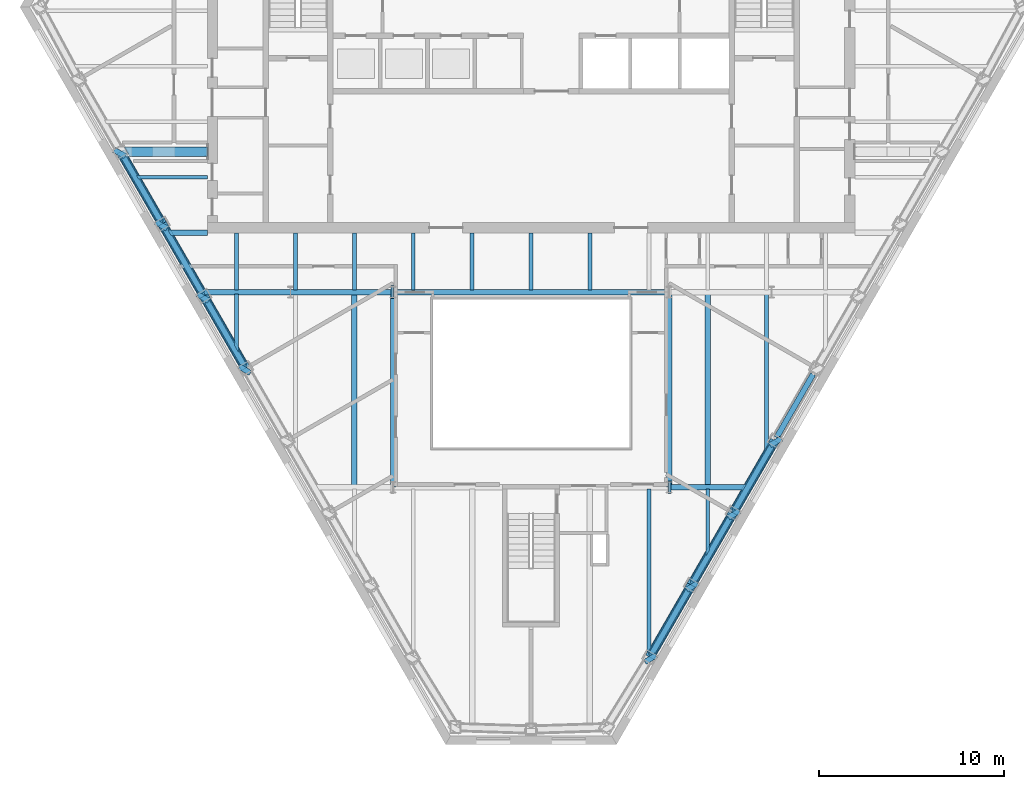
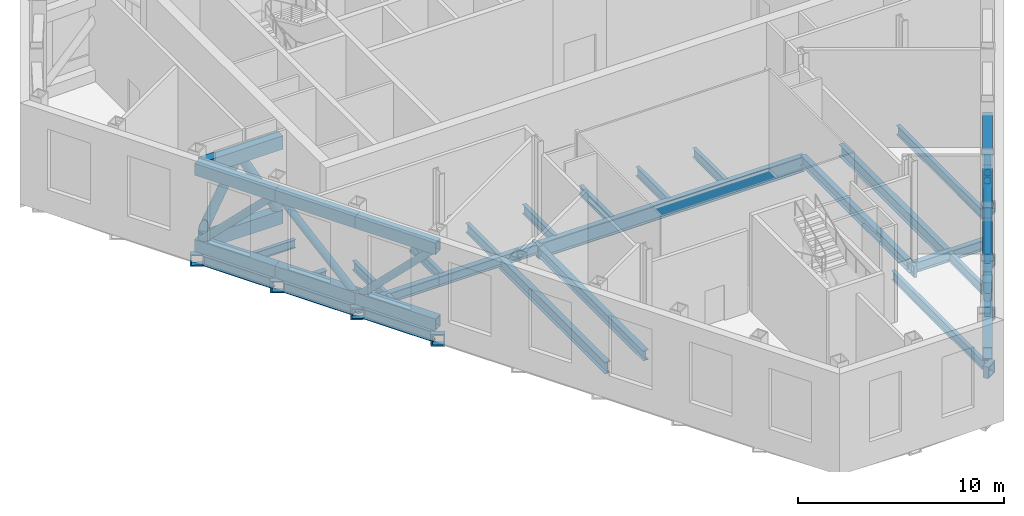
# One storey, part 3 of 15: 38 beams, 22 members.
"""IFC4 building model written with IfcOpenShell, lengths in metres."""

from ifc_helpers import new_model, si_unit, direction, frame, origin, origin_2d, place, context, subcontext, project, spatial, hollow_rectangle, hollow_circle, i_section, extrude, clip, halfspace, material, material_profile, profile_set, type_object, element, save


model = new_model("IFC4")

# Units and contexts
model_context = context("Model", 3, precision=1e-05, world=origin(), true_north=direction((0.0, 1.0)))
body_context = subcontext(model_context, "Body", "Model", "MODEL_VIEW")
ifc_project = project(units=[si_unit("LENGTHUNIT", "METRE"), si_unit("AREAUNIT", "SQUARE_METRE"), si_unit("VOLUMEUNIT", "CUBIC_METRE"), si_unit("PLANEANGLEUNIT", "RADIAN"), si_unit("MASSUNIT", "GRAM", prefix="KILO")], contexts=[model_context])

# Site, building, storey
site_placement = place(None, origin())
site = spatial("IfcSite", under=ifc_project, at=site_placement, CompositionType="ELEMENT")
building_placement = place(site_placement, origin())
building = spatial("IfcBuilding", under=site, at=building_placement, Name="Njiva Tower", CompositionType="ELEMENT")
storey_placement = place(building_placement, frame((0.0, 0.0, 133.8)))
storey = spatial("IfcBuildingStorey", under=building, at=storey_placement, Name="L28", CompositionType="ELEMENT", Elevation=133.8)

# Beams
ifc_material_1 = material(Name="Steel S355 J2", Category="steel")
ifc_material_profile_1 = material_profile(ifc_material_1, i_section(OverallWidth=0.3, OverallDepth=0.69, WebThickness=0.0145, FlangeThickness=0.027, at=origin_2d()), Name="HEA 700")
ifc_profile_set_1 = profile_set([ifc_material_profile_1], Name="Steel S355 J2")
beam_type_1 = type_object("IfcBeamType", Name="B12 Long-span floor joist HEA 700", PredefinedType="JOIST", material=ifc_profile_set_1)
for number, where, z_axis, x_axis, name in (
    (1, (-9.55, -3.3, -0.545), (0.0, -1.0, 0.0), (1.0, 0.0, 0.0), "Long-span floor joist T2-B055"),
    (2, (9.55, -3.3, -0.545), (0.0, -1.0, 0.0), (1.0, 0.0, 0.0), "Long-span floor joist T2-B068"),
):
    element("IfcBeam", number, at=place(storey_placement, frame(where, z_axis=z_axis, x_axis=x_axis)), inside=storey, type_object=beam_type_1, Name=name, PredefinedType="JOIST", context=body_context, shape_type="SweptSolid", body=[
        extrude(i_section(OverallWidth=0.3, OverallDepth=0.69, WebThickness=0.0145, FlangeThickness=0.027, at=origin_2d()), origin(), (0.0, 0.0, 1.0), 10.35),
    ])
ifc_material_profile_2 = material_profile(ifc_material_1, hollow_rectangle(XDim=0.7, YDim=0.7, WallThickness=0.08, at=origin_2d()), Name="BOX 700x700x80")
ifc_profile_set_2 = profile_set([ifc_material_profile_2], Name="Steel S355 J2")
beam_type_2 = type_object("IfcBeamType", Name="B19 Column jog beam BOX 700x700x80", PredefinedType="BEAM", material=ifc_profile_set_2)
beam_1_placement = place(storey_placement, frame((-22.308, 4.183, -0.55), z_axis=(0.487366159264, 0.873197702015, 0.0), x_axis=(-0.873197702015, 0.487366159264, 0.0)))
element("IfcBeam", 3, at=beam_1_placement, inside=storey, type_object=beam_type_2, Name="Column jog beam T2-B024", PredefinedType="BEAM", context=body_context, shape_type="SweptSolid", body=[
    extrude(hollow_rectangle(XDim=0.7, YDim=0.7, WallThickness=0.08, at=origin_2d()), origin(), (0.0, 0.0, 1.0), 0.2955),
])
for number, where, z_axis, x_axis, name in (
    (4, (-20.055, 0.279, -0.55), (0.496502633012, 0.868035215537, 0.0), (-0.868035215537, 0.496502633012, 0.0), "Column jog beam T2-B025"),
    (5, (-17.801, -3.625, -0.55), (0.496502633012, 0.868035215537, 0.0), (-0.868035215537, 0.496502633012, 0.0), "Column jog beam T2-B026"),
):
    element("IfcBeam", number, at=place(storey_placement, frame(where, z_axis=z_axis, x_axis=x_axis)), inside=storey, type_object=beam_type_2, Name=name, PredefinedType="BEAM", context=body_context, shape_type="SweptSolid", body=[
        extrude(hollow_rectangle(XDim=0.7, YDim=0.7, WallThickness=0.08, at=origin_2d()), origin(), (0.0, 0.0, 1.0), 0.2961),
    ])
beam_2_placement = place(storey_placement, frame((-15.547, -7.529, -0.55), z_axis=(0.497961879688, 0.867198919728, 0.0), x_axis=(-0.867198919728, 0.497961879688, 0.0)))
element("IfcBeam", 6, at=beam_2_placement, inside=storey, type_object=beam_type_2, Name="Column jog beam T2-B027", PredefinedType="BEAM", context=body_context, shape_type="SweptSolid", body=[
    extrude(hollow_rectangle(XDim=0.7, YDim=0.7, WallThickness=0.08, at=origin_2d()), origin(), (0.0, 0.0, 1.0), 0.2952),
])
beam_3_placement = place(storey_placement, frame((6.533, -23.142, -0.55), z_axis=(-0.519513166522, 0.854462444938, 0.0), x_axis=(-0.854462444938, -0.519513166522, 0.0)))
element("IfcBeam", 7, at=beam_3_placement, inside=storey, type_object=beam_type_2, Name="Column jog beam T2-B037", PredefinedType="BEAM", context=body_context, shape_type="SweptSolid", body=[
    extrude(hollow_rectangle(XDim=0.7, YDim=0.7, WallThickness=0.08, at=origin_2d()), origin(), (0.0, 0.0, 1.0), 0.2926),
])
beam_4_placement = place(storey_placement, frame((8.787, -19.24, -0.55), z_axis=(-0.512497875226, 0.858688492929, 0.0), x_axis=(-0.858688492929, -0.512497875226, 0.0)))
element("IfcBeam", 8, at=beam_4_placement, inside=storey, type_object=beam_type_2, Name="Column jog beam T2-B040", PredefinedType="BEAM", context=body_context, shape_type="SweptSolid", body=[
    extrude(hollow_rectangle(XDim=0.7, YDim=0.7, WallThickness=0.08, at=origin_2d()), origin(), (0.0, 0.0, 1.0), 0.2946),
])
beam_5_placement = place(storey_placement, frame((11.041, -15.336, -0.55), z_axis=(-0.511007817722, 0.859576064247, 0.0), x_axis=(-0.859576064247, -0.511007817722, 0.0)))
element("IfcBeam", 9, at=beam_5_placement, inside=storey, type_object=beam_type_2, Name="Column jog beam T2-B041", PredefinedType="BEAM", context=body_context, shape_type="SweptSolid", body=[
    extrude(hollow_rectangle(XDim=0.7, YDim=0.7, WallThickness=0.08, at=origin_2d()), origin(), (0.0, 0.0, 1.0), 0.2955),
])
beam_6_placement = place(storey_placement, frame((13.293, -11.432, -0.55), z_axis=(-0.503447958837, 0.864025550978, 0.0), x_axis=(-0.864025550978, -0.503447958837, 0.0)))
element("IfcBeam", 10, at=beam_6_placement, inside=storey, type_object=beam_type_2, Name="Column jog beam T2-B042", PredefinedType="BEAM", context=body_context, shape_type="SweptSolid", body=[
    extrude(hollow_rectangle(XDim=0.7, YDim=0.7, WallThickness=0.08, at=origin_2d()), origin(), (0.0, 0.0, 1.0), 0.294),
])
for number, where, z_axis, x_axis, name in (
    (11, (-7.57, -3.2, -0.55), (1.0, 0.0, 0.0), (0.0, 1.0, 0.0), "Column jog beam T2-B032"),
    (12, (7.57, -13.75, -0.55), (-1.0, 0.0, 0.0), (0.0, -1.0, 0.0), "Column jog beam T2-B038"),
):
    element("IfcBeam", number, at=place(storey_placement, frame(where, z_axis=z_axis, x_axis=x_axis)), inside=storey, type_object=beam_type_2, Name=name, PredefinedType="BEAM", context=body_context, shape_type="SweptSolid", body=[
        extrude(hollow_rectangle(XDim=0.7, YDim=0.7, WallThickness=0.08, at=origin_2d()), origin(), (0.0, 0.0, 1.0), 0.17),
    ])
ifc_material_profile_3 = material_profile(ifc_material_1, i_section(OverallWidth=0.2, OverallDepth=0.5, WebThickness=0.0102, FlangeThickness=0.016, at=origin_2d()), Name="IPE 500")
ifc_profile_set_3 = profile_set([ifc_material_profile_3], Name="Steel S355 J2")
beam_type_3 = type_object("IfcBeamType", Name="B25 Short-span floor beam to the core IPE 500", PredefinedType="BEAM", material=ifc_profile_set_3)
beam_7_placement = place(storey_placement, frame((-21.353, 3.0, -0.45), z_axis=(1.0, 0.0, 0.0), x_axis=(0.0, 1.0, 0.0)))
element("IfcBeam", 13, at=beam_7_placement, inside=storey, type_object=beam_type_3, Name="Short-span floor beam to the core T2-B006", PredefinedType="BEAM", context=body_context, shape_type="Clipping", body=[
    clip(extrude(i_section(OverallWidth=0.2, OverallDepth=0.5, WebThickness=0.0102, FlangeThickness=0.016, at=origin_2d()), origin(), (0.0, 0.0, 1.0), 3.853), halfspace(frame((-0.025, 0.0, 0.0921), z_axis=(-0.499998009787, 0.0, -0.866026552831), x_axis=(0.0, -1.0, 0.0)), False)),
])
ifc_material_profile_4 = material_profile(ifc_material_1, i_section(OverallWidth=0.3, OverallDepth=0.59, WebThickness=0.013, FlangeThickness=0.025, at=origin_2d()), Name="HEA 600")
ifc_profile_set_4 = profile_set([ifc_material_profile_4], Name="Steel S355 J2")
beam_type_4 = type_object("IfcBeamType", Name="B27 Short-span spandrel beam HEA 600", PredefinedType="SPANDREL", material=ifc_profile_set_4)
for number, where, z_axis, x_axis, name in (
    (14, (-22.01, 4.073, -0.495), (0.499970304126, -0.866042548026, 0.0), (0.866042548026, 0.499970304126, 0.0), "Short-span spandrel beam T2-B083"),
    (15, (-19.756, 0.169, -0.495), (0.499970304126, -0.866042548026, 0.0), (0.866042548026, 0.499970304126, 0.0), "Short-span spandrel beam T2-B084"),
    (16, (-17.502, -3.735, -0.495), (0.499970304126, -0.866042548026, 0.0), (0.866042548026, 0.499970304126, 0.0), "Short-span spandrel beam T2-B086"),
):
    element("IfcBeam", number, at=place(storey_placement, frame(where, z_axis=z_axis, x_axis=x_axis)), inside=storey, type_object=beam_type_4, Name=name, PredefinedType="SPANDREL", context=body_context, shape_type="SweptSolid", body=[
        extrude(i_section(OverallWidth=0.3, OverallDepth=0.59, WebThickness=0.013, FlangeThickness=0.025, at=origin_2d()), origin(), (0.0, 0.0, 1.0), 3.9582),
    ])
beam_8_placement = place(storey_placement, frame((6.508, -22.777, -0.495), z_axis=(0.500079715141, 0.865979375335, 0.0), x_axis=(-0.865979375335, 0.500079715141, 0.0)))
element("IfcBeam", 17, at=beam_8_placement, inside=storey, type_object=beam_type_4, Name="Short-span spandrel beam T2-B100", PredefinedType="SPANDREL", context=body_context, shape_type="SweptSolid", body=[
    extrude(i_section(OverallWidth=0.3, OverallDepth=0.59, WebThickness=0.013, FlangeThickness=0.025, at=origin_2d()), origin(), (0.0, 0.0, 1.0), 3.9574),
])
beam_9_placement = place(storey_placement, frame((8.762, -18.874, -0.495), z_axis=(0.499970304126, 0.866042548026, 0.0), x_axis=(-0.866042548026, 0.499970304126, 0.0)))
element("IfcBeam", 18, at=beam_9_placement, inside=storey, type_object=beam_type_4, Name="Short-span spandrel beam T2-B101", PredefinedType="SPANDREL", context=body_context, shape_type="SweptSolid", body=[
    extrude(i_section(OverallWidth=0.3, OverallDepth=0.59, WebThickness=0.013, FlangeThickness=0.025, at=origin_2d()), origin(), (0.0, 0.0, 1.0), 3.9582),
])
beam_10_placement = place(storey_placement, frame((11.016, -14.97, -0.495), z_axis=(0.500079715141, 0.865979375335, 0.0), x_axis=(-0.865979375335, 0.500079715141, 0.0)))
element("IfcBeam", 19, at=beam_10_placement, inside=storey, type_object=beam_type_4, Name="Short-span spandrel beam T2-B103", PredefinedType="SPANDREL", context=body_context, shape_type="SweptSolid", body=[
    extrude(i_section(OverallWidth=0.3, OverallDepth=0.59, WebThickness=0.013, FlangeThickness=0.025, at=origin_2d()), origin(), (0.0, 0.0, 1.0), 3.9574),
])
beam_11_placement = place(storey_placement, frame((13.27, -11.066, -0.495), z_axis=(0.499890179513, 0.866088799389, 0.0), x_axis=(-0.866088799389, 0.499890179513, 0.0)))
element("IfcBeam", 20, at=beam_11_placement, inside=storey, type_object=beam_type_4, Name="Short-span spandrel beam T2-B104", PredefinedType="SPANDREL", context=body_context, shape_type="SweptSolid", body=[
    extrude(i_section(OverallWidth=0.3, OverallDepth=0.59, WebThickness=0.013, FlangeThickness=0.025, at=origin_2d()), origin(), (0.0, 0.0, 1.0), 3.9569),
])
ifc_material_profile_5 = material_profile(ifc_material_1, i_section(OverallWidth=0.3, OverallDepth=0.59, WebThickness=0.013, FlangeThickness=0.025, at=origin_2d()), Name="HEA 600")
ifc_profile_set_5 = profile_set([ifc_material_profile_5], Name="Steel S355 J2")
beam_type_5 = type_object("IfcBeamType", Name="B28 Floor girder HEA 600", PredefinedType="BEAM", material=ifc_profile_set_5)
beam_12_placement = place(storey_placement, frame((-17.803, -3.2, -0.495), z_axis=(1.0, 0.0, 0.0), x_axis=(0.0, 1.0, 0.0)))
element("IfcBeam", 21, at=beam_12_placement, inside=storey, type_object=beam_type_5, Name="Floor girder T2-B014", PredefinedType="BEAM", context=body_context, shape_type="Clipping", body=[
    clip(extrude(i_section(OverallWidth=0.3, OverallDepth=0.59, WebThickness=0.013, FlangeThickness=0.025, at=origin_2d()), origin(), (0.0, 0.0, 1.0), 4.803), halfspace(frame((-0.025, 0.0, 0.1217), z_axis=(-0.499998009787, 0.0, -0.866026552831), x_axis=(0.0, -1.0, 0.0)), False)),
])
beam_13_placement = place(storey_placement, frame((-13.0, -3.2, -0.495), z_axis=(1.0, 0.0, 0.0), x_axis=(0.0, 1.0, 0.0)))
element("IfcBeam", 22, at=beam_13_placement, inside=storey, type_object=beam_type_5, Name="Floor girder T2-B015", PredefinedType="BEAM", context=body_context, shape_type="SweptSolid", body=[
    extrude(i_section(OverallWidth=0.3, OverallDepth=0.59, WebThickness=0.013, FlangeThickness=0.025, at=origin_2d()), origin(), (0.0, 0.0, 1.0), 5.54),
])
ifc_material_profile_6 = material_profile(ifc_material_1, i_section(OverallWidth=0.3, OverallDepth=0.59, WebThickness=0.013, FlangeThickness=0.025, at=origin_2d()), Name="HEA 600")
ifc_profile_set_6 = profile_set([ifc_material_profile_6], Name="Steel S355 J2")
beam_type_6 = type_object("IfcBeamType", Name="B29 Short-span floor girder HEA 600", PredefinedType="BEAM", material=ifc_profile_set_6)
beam_14_placement = place(storey_placement, frame((7.46, -13.75, -0.495), z_axis=(1.0, 0.0, 0.0), x_axis=(0.0, 1.0, 0.0)))
element("IfcBeam", 23, at=beam_14_placement, inside=storey, type_object=beam_type_6, Name="Short-span floor girder T2-B017", PredefinedType="BEAM", context=body_context, shape_type="Clipping", body=[
    clip(extrude(i_section(OverallWidth=0.3, OverallDepth=0.59, WebThickness=0.013, FlangeThickness=0.025, at=origin_2d()), origin(), (0.0, 0.0, 1.0), 4.252), halfspace(frame((-0.025, 0.0, 4.1303), z_axis=(-0.499998009787, 0.0, 0.866026552831), x_axis=(0.0, 1.0, 0.0)), False)),
])
beam_15_placement = place(storey_placement, frame((-19.65, 0.0, -0.495), z_axis=(1.0, 0.0, 0.0), x_axis=(0.0, 1.0, 0.0)))
element("IfcBeam", 24, at=beam_15_placement, inside=storey, type_object=beam_type_6, Name="Short-span floor girder T2-B013", PredefinedType="BEAM", context=body_context, shape_type="Clipping", body=[
    clip(extrude(i_section(OverallWidth=0.3, OverallDepth=0.59, WebThickness=0.013, FlangeThickness=0.025, at=origin_2d()), origin(), (0.0, 0.0, 1.0), 2.15), halfspace(frame((-0.025, 0.0, 0.1211), z_axis=(-0.499998009787, 0.0, -0.866026552831), x_axis=(0.0, -1.0, 0.0)), False)),
])
ifc_material_profile_7 = material_profile(ifc_material_1, i_section(OverallWidth=0.3, OverallDepth=0.59, WebThickness=0.013, FlangeThickness=0.025, at=origin_2d()), Name="HEA 600")
ifc_profile_set_7 = profile_set([ifc_material_profile_7], Name="Steel S355 J2")
beam_type_7 = type_object("IfcBeamType", Name="B30 Long-span atrium trimmer beam HEA 600", PredefinedType="BEAM", material=ifc_profile_set_7)
for number, where, z_axis, x_axis, name in (
    (25, (7.46, -13.75, -0.495), (0.0, 1.0, 0.0), (-1.0, 0.0, 0.0), "Long-span atrium trimmer beam T2-B077"),
    (26, (-7.46, -3.2, -0.495), (0.0, -1.0, 0.0), (1.0, 0.0, 0.0), "Long-span atrium trimmer beam T2-B074"),
):
    element("IfcBeam", number, at=place(storey_placement, frame(where, z_axis=z_axis, x_axis=x_axis)), inside=storey, type_object=beam_type_7, Name=name, PredefinedType="BEAM", context=body_context, shape_type="SweptSolid", body=[
        extrude(i_section(OverallWidth=0.3, OverallDepth=0.59, WebThickness=0.013, FlangeThickness=0.025, at=origin_2d()), origin(), (0.0, 0.0, 1.0), 10.55),
    ])
ifc_material_profile_8 = material_profile(ifc_material_1, i_section(OverallWidth=0.21, OverallDepth=0.55, WebThickness=0.0111, FlangeThickness=0.0172, at=origin_2d()), Name="IPE 550")
ifc_profile_set_8 = profile_set([ifc_material_profile_8], Name="Steel S355 J2")
beam_type_8 = type_object("IfcBeamType", Name="B31 Short-span floor joist IPE 550", PredefinedType="JOIST", material=ifc_profile_set_8)
beam_16_placement = place(storey_placement, frame((-15.917, -0.005, -0.475), z_axis=(0.0, -1.0, 0.0), x_axis=(1.0, 0.0, 0.0)))
element("IfcBeam", 27, at=beam_16_placement, inside=storey, type_object=beam_type_8, Name="Short-span floor joist T2-B051", PredefinedType="JOIST", context=body_context, shape_type="SweptSolid", body=[
    extrude(i_section(OverallWidth=0.21, OverallDepth=0.55, WebThickness=0.0111, FlangeThickness=0.0172, at=origin_2d()), origin(), (0.0, 0.0, 1.0), 3.095),
])
beam_17_placement = place(storey_placement, frame((-15.917, -3.3, -0.475), z_axis=(0.0, -1.0, 0.0), x_axis=(1.0, 0.0, 0.0)))
element("IfcBeam", 28, at=beam_17_placement, inside=storey, type_object=beam_type_8, Name="Short-span floor joist T2-B050", PredefinedType="JOIST", context=body_context, shape_type="Clipping", body=[
    clip(extrude(i_section(OverallWidth=0.21, OverallDepth=0.55, WebThickness=0.0111, FlangeThickness=0.0172, at=origin_2d()), origin(), (0.0, 0.0, 1.0), 3.184), halfspace(frame((-0.043, 0.0, 2.9065), z_axis=(-0.866026552831, 0.0, 0.499998009787), x_axis=(0.0, 1.0, 0.0)), False)),
])
for number, where, z_axis, x_axis, name in (
    (29, (-12.733, -0.005, -0.475), (0.0, -1.0, 0.0), (1.0, 0.0, 0.0), "Short-span floor joist T2-B053"),
    (30, (-9.55, -0.005, -0.475), (0.0, -1.0, 0.0), (1.0, 0.0, 0.0), "Short-span floor joist T2-B056"),
):
    element("IfcBeam", number, at=place(storey_placement, frame(where, z_axis=z_axis, x_axis=x_axis)), inside=storey, type_object=beam_type_8, Name=name, PredefinedType="JOIST", context=body_context, shape_type="SweptSolid", body=[
        extrude(i_section(OverallWidth=0.21, OverallDepth=0.55, WebThickness=0.0111, FlangeThickness=0.0172, at=origin_2d()), origin(), (0.0, 0.0, 1.0), 3.095),
    ])
for number, where, z_axis, x_axis, name in (
    (31, (-6.367, -0.005, -0.475), (0.0, -1.0, 0.0), (1.0, 0.0, 0.0), "Short-span floor joist T2-B058"),
    (32, (-3.183, -0.005, -0.475), (0.0, -1.0, 0.0), (1.0, 0.0, 0.0), "Short-span floor joist T2-B060"),
    (33, (0.0, -0.005, -0.475), (0.0, -1.0, 0.0), (1.0, 0.0, 0.0), "Short-span floor joist T2-B062"),
    (34, (3.183, -0.005, -0.475), (0.0, -1.0, 0.0), (1.0, 0.0, 0.0), "Short-span floor joist T2-B064"),
):
    element("IfcBeam", number, at=place(storey_placement, frame(where, z_axis=z_axis, x_axis=x_axis)), inside=storey, type_object=beam_type_8, Name=name, PredefinedType="JOIST", context=body_context, shape_type="SweptSolid", body=[
        extrude(i_section(OverallWidth=0.21, OverallDepth=0.55, WebThickness=0.0111, FlangeThickness=0.0172, at=origin_2d()), origin(), (0.0, 0.0, 1.0), 3.094),
    ])
beam_18_placement = place(storey_placement, frame((9.55, -13.85, -0.475), z_axis=(0.0, -1.0, 0.0), x_axis=(1.0, 0.0, 0.0)))
element("IfcBeam", 35, at=beam_18_placement, inside=storey, type_object=beam_type_8, Name="Short-span floor joist T2-B067", PredefinedType="JOIST", context=body_context, shape_type="Clipping", body=[
    clip(extrude(i_section(OverallWidth=0.21, OverallDepth=0.55, WebThickness=0.0111, FlangeThickness=0.0172, at=origin_2d()), origin(), (0.0, 0.0, 1.0), 3.661), halfspace(frame((0.0433, 0.0, 3.3839), z_axis=(0.866026552831, 0.0, 0.499998009787), x_axis=(0.0, 1.0, 0.0)), False)),
])
ifc_material_profile_9 = material_profile(ifc_material_1, i_section(OverallWidth=0.21, OverallDepth=0.55, WebThickness=0.0111, FlangeThickness=0.0172, at=origin_2d()), Name="IPE 550")
ifc_profile_set_9 = profile_set([ifc_material_profile_9], Name="Steel S355 J2")
beam_type_9 = type_object("IfcBeamType", Name="B32 Floor joist IPE 550", PredefinedType="JOIST", material=ifc_profile_set_9)
beam_19_placement = place(storey_placement, frame((6.367, -13.851, -0.475), z_axis=(0.0, -1.0, 0.0), x_axis=(1.0, 0.0, 0.0)))
element("IfcBeam", 36, at=beam_19_placement, inside=storey, type_object=beam_type_9, Name="Floor joist T2-B065", PredefinedType="JOIST", context=body_context, shape_type="Clipping", body=[
    clip(extrude(i_section(OverallWidth=0.21, OverallDepth=0.55, WebThickness=0.0111, FlangeThickness=0.0172, at=origin_2d()), origin(), (0.0, 0.0, 1.0), 8.925), halfspace(frame((-0.0253, 0.0, 8.8299), z_axis=(-0.499998009787, 0.0, 0.866026552831), x_axis=(0.0, 1.0, 0.0)), False)),
])
beam_20_placement = place(storey_placement, frame((12.733, -3.3, -0.475), z_axis=(0.0, -1.0, 0.0), x_axis=(1.0, 0.0, 0.0)))
element("IfcBeam", 37, at=beam_20_placement, inside=storey, type_object=beam_type_9, Name="Floor joist T2-B070", PredefinedType="JOIST", context=body_context, shape_type="Clipping", body=[
    clip(extrude(i_section(OverallWidth=0.21, OverallDepth=0.55, WebThickness=0.0111, FlangeThickness=0.0172, at=origin_2d()), origin(), (0.0, 0.0, 1.0), 8.697), halfspace(frame((0.0436, 0.0, 8.4202), z_axis=(0.866026552831, 0.0, 0.499998009787), x_axis=(0.0, 1.0, 0.0)), False)),
])
ifc_material_profile_10 = material_profile(ifc_material_1, i_section(OverallWidth=0.302, OverallDepth=0.91, WebThickness=0.021, FlangeThickness=0.04, at=origin_2d()), Name="HEM 900")
ifc_profile_set_10 = profile_set([ifc_material_profile_10], Name="Steel S355 J2")
beam_type_10 = type_object("IfcBeamType", Name="B8 Long-span atrium trimmer beam HEM 900", PredefinedType="BEAM", material=ifc_profile_set_10)
beam_21_placement = place(storey_placement, frame((7.46, -3.2, -0.655), z_axis=(-1.0, 0.0, 0.0), x_axis=(0.0, -1.0, 0.0)))
element("IfcBeam", 38, at=beam_21_placement, inside=storey, type_object=beam_type_10, Name="Long-span atrium trimmer beam T2-B076", PredefinedType="BEAM", context=body_context, shape_type="SweptSolid", body=[
    extrude(i_section(OverallWidth=0.302, OverallDepth=0.91, WebThickness=0.021, FlangeThickness=0.04, at=origin_2d()), origin(), (0.0, 0.0, 1.0), 14.92),
])

# Members
ifc_material_profile_11 = material_profile(ifc_material_1, hollow_rectangle(XDim=0.5, YDim=0.8, WallThickness=0.05, at=origin_2d()), Name="BOX 800x500x50")
ifc_profile_set_11 = profile_set([ifc_material_profile_11], Name="Steel S355 J2")
member_type_1 = type_object("IfcMemberType", Name="OR1 Outrigger truss chord BOX 800x500x50", PredefinedType="CHORD", material=ifc_profile_set_11)
for number, where, z_axis, x_axis, name in (
    (39, (-17.5, 4.389, 0.4), (-1.0, 0.0, 0.0), (0.0, -1.0, 0.0), "Outrigger truss chord T2-TR109"),
    (40, (-17.5, 4.389, 4.81), (-1.0, 0.0, 0.0), (0.0, -1.0, 0.0), "Outrigger truss chord T2-TR110"),
):
    element("IfcMember", number, at=place(storey_placement, frame(where, z_axis=z_axis, x_axis=x_axis)), inside=storey, type_object=member_type_1, Name=name, PredefinedType="CHORD", context=body_context, shape_type="Clipping", body=[
        clip(extrude(hollow_rectangle(XDim=0.5, YDim=0.8, WallThickness=0.05, at=origin_2d()), origin(), (0.0, 0.0, 1.0), 4.867), halfspace(frame((0.025, 0.0, 4.3322), z_axis=(0.499998009787, 0.0, 0.866026552831), x_axis=(0.0, 1.0, 0.0)), False)),
    ])
ifc_material_2 = material(Name="Steel S355 J2H", Category="steel")
ifc_material_profile_12 = material_profile(ifc_material_2, hollow_circle(Radius=0.254, WallThickness=0.016, at=origin_2d()), Name="CHS 508x16")
ifc_profile_set_12 = profile_set([ifc_material_profile_12], Name="Steel S355 J2H")
member_type_2 = type_object("IfcMemberType", Name="OR2 Outrigger truss diagonal CHS 508x16", PredefinedType="BRACE", material=ifc_profile_set_12)
member_1_placement = place(storey_placement, frame((-17.2609, 4.389, -0.0494), z_axis=(-0.469652813312, 0.0, 0.882851196379), x_axis=(0.0, -1.0, 0.0)))
element("IfcMember", 41, at=member_1_placement, inside=storey, type_object=member_type_2, Name="Outrigger truss diagonal T2-TR111", PredefinedType="BRACE", context=body_context, shape_type="Clipping", body=[
    clip(clip(clip(extrude(hollow_circle(Radius=0.254, WallThickness=0.016, at=origin_2d()), origin(), (0.0, 0.0, 1.0), 5.6702), halfspace(frame((4.389, 15.6331, -7.3656), z_axis=(0.0, -0.469652813312, -0.882851196379), x_axis=(0.0, -0.882851196379, 0.469652813312)), False)), halfspace(frame((0.0, -63.0274, -117.9696), z_axis=(0.0, 0.882851196379, -0.469652813312), x_axis=(0.0, -0.469652813312, -0.882851196379)), False)), halfspace(frame((4.389, 17.3379, -4.1609), z_axis=(0.0, 0.469652813312, 0.882851196379), x_axis=(0.0, 0.882851196379, -0.469652813312)), False)),
])
member_2_placement = place(storey_placement, frame((-19.768, 4.389, 4.9565), z_axis=(-0.469808826994, 0.0, -0.882768183658), x_axis=(0.0, -1.0, 0.0)))
element("IfcMember", 42, at=member_2_placement, inside=storey, type_object=member_type_2, Name="Outrigger truss diagonal T2-TR112", PredefinedType="BRACE", context=body_context, shape_type="Clipping", body=[
    clip(clip(clip(extrude(hollow_circle(Radius=0.254, WallThickness=0.016, at=origin_2d()), origin(), (0.0, 0.0, 1.0), 5.7646), halfspace(frame((4.389, -17.7026, -8.8135), z_axis=(0.0, 0.469808826994, -0.882768183658), x_axis=(0.0, -0.882768183658, -0.469808826994)), False)), halfspace(frame((4.389, -19.408, -5.6091), z_axis=(0.0, -0.469808826994, 0.882768183658), x_axis=(0.0, 0.882768183658, 0.469808826994)), False)), halfspace(frame((0.025, -0.3185, 4.9921), z_axis=(0.499998009787, 0.764500687042, 0.406866918932), x_axis=(0.0, 0.469808826994, -0.882768183658)), False)),
])
ifc_material_profile_13 = material_profile(ifc_material_1, hollow_rectangle(XDim=0.5, YDim=0.7, WallThickness=0.04, at=origin_2d()), Name="BOX 700x500x40")
ifc_profile_set_13 = profile_set([ifc_material_profile_13], Name="Steel S355 J2")
member_type_3 = type_object("IfcMemberType", Name="TC2 Belt truss chord BOX 700x500x40", PredefinedType="CHORD", material=ifc_profile_set_13)
for number, where, z_axis, x_axis, name in (
    (43, (-22.193, 4.389, 0.35), (0.500074377092, -0.865982457891, 0.0), (0.865982457891, 0.500074377092, 0.0), "Belt truss chord T2-TR043"),
    (44, (-22.193, 4.389, 4.86), (0.500074377092, -0.865982457891, 0.0), (0.865982457891, 0.500074377092, 0.0), "Belt truss chord T2-TR044"),
):
    element("IfcMember", number, at=place(storey_placement, frame(where, z_axis=z_axis, x_axis=x_axis)), inside=storey, type_object=member_type_3, Name=name, PredefinedType="CHORD", context=body_context, shape_type="SweptSolid", body=[
        extrude(hollow_rectangle(XDim=0.5, YDim=0.7, WallThickness=0.04, at=origin_2d()), origin(), (0.0, 0.0, 1.0), 4.5093),
    ])
for number, where, z_axis, x_axis, name in (
    (45, (-19.938, 0.484, 0.35), (0.500004084281, -0.866023045711, 0.0), (0.866023045711, 0.500004084281, 0.0), "Belt truss chord T2-TR046"),
    (46, (-19.938, 0.484, 4.86), (0.500004084281, -0.866023045711, 0.0), (0.866023045711, 0.500004084281, 0.0), "Belt truss chord T2-TR047"),
):
    element("IfcMember", number, at=place(storey_placement, frame(where, z_axis=z_axis, x_axis=x_axis)), inside=storey, type_object=member_type_3, Name=name, PredefinedType="CHORD", context=body_context, shape_type="SweptSolid", body=[
        extrude(hollow_rectangle(XDim=0.5, YDim=0.7, WallThickness=0.04, at=origin_2d()), origin(), (0.0, 0.0, 1.0), 4.508),
    ])
for number, where, z_axis, x_axis, name in (
    (47, (-17.684, -3.42, 0.35), (0.499908044067, -0.866078488058, 0.0), (0.866078488058, 0.499908044067, 0.0), "Belt truss chord T2-TR049"),
    (48, (-17.684, -3.42, 4.86), (0.499908044067, -0.866078488058, 0.0), (0.866078488058, 0.499908044067, 0.0), "Belt truss chord T2-TR050"),
):
    element("IfcMember", number, at=place(storey_placement, frame(where, z_axis=z_axis, x_axis=x_axis)), inside=storey, type_object=member_type_3, Name=name, PredefinedType="CHORD", context=body_context, shape_type="SweptSolid", body=[
        extrude(hollow_rectangle(XDim=0.5, YDim=0.7, WallThickness=0.04, at=origin_2d()), origin(), (0.0, 0.0, 1.0), 4.5088),
    ])
member_3_placement = place(storey_placement, frame((6.395, -22.9724, 0.35), z_axis=(0.500170427951, 0.865926984799, 0.0), x_axis=(-0.865926984799, 0.500170427951, 0.0)))
element("IfcMember", 49, at=member_3_placement, inside=storey, type_object=member_type_3, Name="Belt truss chord T2-TR076", PredefinedType="CHORD", context=body_context, shape_type="Clipping", body=[
    clip(extrude(hollow_rectangle(XDim=0.5, YDim=0.7, WallThickness=0.04, at=origin_2d()), origin(), (0.0, 0.0, 1.0), 4.5425), halfspace(frame((0.0, -134.15, 0.034), z_axis=(0.014865519453, 0.0, -0.999889502061), x_axis=(0.0, -1.0, 0.0)), False)),
])
member_4_placement = place(storey_placement, frame((6.395, -22.9724, 4.86), z_axis=(0.500170427951, 0.865926984799, 0.0), x_axis=(-0.865926984799, 0.500170427951, 0.0)))
element("IfcMember", 50, at=member_4_placement, inside=storey, type_object=member_type_3, Name="Belt truss chord T2-TR077", PredefinedType="CHORD", context=body_context, shape_type="Clipping", body=[
    clip(extrude(hollow_rectangle(XDim=0.5, YDim=0.7, WallThickness=0.04, at=origin_2d()), origin(), (0.0, 0.0, 1.0), 4.5425), halfspace(frame((0.0, -138.66, 0.034), z_axis=(0.014865519453, 0.0, -0.999889502061), x_axis=(0.0, -1.0, 0.0)), False)),
])
for number, where, z_axis, x_axis, name in (
    (51, (8.667, -19.039, 0.35), (0.499908044067, 0.866078488058, 0.0), (-0.866078488058, 0.499908044067, 0.0), "Belt truss chord T2-TR079"),
    (52, (8.667, -19.039, 4.86), (0.499908044067, 0.866078488058, 0.0), (-0.866078488058, 0.499908044067, 0.0), "Belt truss chord T2-TR080"),
):
    element("IfcMember", number, at=place(storey_placement, frame(where, z_axis=z_axis, x_axis=x_axis)), inside=storey, type_object=member_type_3, Name=name, PredefinedType="CHORD", context=body_context, shape_type="SweptSolid", body=[
        extrude(hollow_rectangle(XDim=0.5, YDim=0.7, WallThickness=0.04, at=origin_2d()), origin(), (0.0, 0.0, 1.0), 4.5088),
    ])
for number, where, z_axis, x_axis, name in (
    (53, (10.921, -15.134, 0.35), (0.500004084281, 0.866023045711, 0.0), (-0.866023045711, 0.500004084281, 0.0), "Belt truss chord T2-TR082"),
    (54, (10.921, -15.134, 4.86), (0.500004084281, 0.866023045711, 0.0), (-0.866023045711, 0.500004084281, 0.0), "Belt truss chord T2-TR083"),
):
    element("IfcMember", number, at=place(storey_placement, frame(where, z_axis=z_axis, x_axis=x_axis)), inside=storey, type_object=member_type_3, Name=name, PredefinedType="CHORD", context=body_context, shape_type="SweptSolid", body=[
        extrude(hollow_rectangle(XDim=0.5, YDim=0.7, WallThickness=0.04, at=origin_2d()), origin(), (0.0, 0.0, 1.0), 4.508),
    ])
ifc_material_profile_14 = material_profile(ifc_material_2, hollow_circle(Radius=0.2032, WallThickness=0.016, at=origin_2d()), Name="CHS 406.4x16")
ifc_profile_set_14 = profile_set([ifc_material_profile_14], Name="Steel S355 J2H")
member_type_4 = type_object("IfcMemberType", Name="TD2 Belt truss diagonal CHS 406.4x16", PredefinedType="BRACE", material=ifc_profile_set_14)
member_5_placement = place(storey_placement, frame((-22.2761, 4.5329, 0.1838), z_axis=(0.353579683933, -0.612296525835, 0.707159367866), x_axis=(0.865982457891, 0.500074377092, 0.0)))
element("IfcMember", 55, at=member_5_placement, inside=storey, type_object=member_type_4, Name="Belt truss diagonal T2-TR045", PredefinedType="BRACE", context=body_context, shape_type="Clipping", body=[
    clip(clip(extrude(hollow_circle(Radius=0.2032, WallThickness=0.016, at=origin_2d()), origin(), (0.0, 0.0, 1.0), 6.8476), halfspace(frame((17.0239, -10.2955, 11.0098), z_axis=(0.0, -0.707054190596, -0.707159367866), x_axis=(0.0, -0.707159367866, 0.707054190596)), False)), halfspace(frame((17.0239, -7.5875, 13.7182), z_axis=(0.0, 0.707054190596, 0.707159367866), x_axis=(0.0, 0.707159367866, -0.707054190596)), False)),
])
member_6_placement = place(storey_placement, frame((-20.0211, 0.6279, 5.0262), z_axis=(0.353476414343, -0.612232440815, -0.707266472355), x_axis=(0.866023045711, 0.500004084281, 0.0)))
element("IfcMember", 56, at=member_6_placement, inside=storey, type_object=member_type_4, Name="Belt truss diagonal T2-TR048", PredefinedType="BRACE", context=body_context, shape_type="Clipping", body=[
    clip(clip(extrude(hollow_circle(Radius=0.2032, WallThickness=0.016, at=origin_2d()), origin(), (0.0, 0.0, 1.0), 6.8467), halfspace(frame((17.0248, 7.1069, 7.8194), z_axis=(0.0, 0.706947053946, -0.707266472355), x_axis=(0.0, -0.707266472355, -0.706947053946)), False)), halfspace(frame((17.0248, 4.3993, 10.5282), z_axis=(0.0, -0.706947053946, 0.707266472355), x_axis=(0.0, 0.707266472355, 0.706947053946)), False)),
])
member_7_placement = place(storey_placement, frame((-17.7671, -3.2761, 0.1838), z_axis=(0.353442477114, -0.612330467228, 0.707198567784), x_axis=(0.866078488058, 0.499908044067, 0.0)))
element("IfcMember", 57, at=member_7_placement, inside=storey, type_object=member_type_4, Name="Belt truss diagonal T2-TR051", PredefinedType="BRACE", context=body_context, shape_type="Clipping", body=[
    clip(clip(extrude(hollow_circle(Radius=0.2032, WallThickness=0.016, at=origin_2d()), origin(), (0.0, 0.0, 1.0), 6.8473), halfspace(frame((17.0254, -3.9168, 4.6316), z_axis=(0.0, -0.707014982673, -0.707198567784), x_axis=(0.0, -0.707198567784, 0.707014982673)), False)), halfspace(frame((17.0254, -1.2089, 7.3401), z_axis=(0.0, 0.707014982673, 0.707198567784), x_axis=(0.0, 0.707198567784, -0.707014982673)), False)),
])
member_8_placement = place(storey_placement, frame((6.3289, -23.0869, 5.0262), z_axis=(0.353613630572, 0.612198498339, -0.707227261144), x_axis=(-0.865926984799, 0.500170427951, 0.0)))
element("IfcMember", 58, at=member_8_placement, inside=storey, type_object=member_type_4, Name="Belt truss diagonal T2-TR078", PredefinedType="BRACE", context=body_context, shape_type="Clipping", body=[
    clip(clip(extrude(hollow_circle(Radius=0.2032, WallThickness=0.016, at=origin_2d()), origin(), (0.0, 0.0, 1.0), 6.847), halfspace(frame((17.0277, 11.5419, 12.2538), z_axis=(0.0, 0.706986280697, -0.707227261144), x_axis=(0.0, -0.707227261144, -0.706986280697)), False)), halfspace(frame((17.0277, 8.8342, 14.9624), z_axis=(0.0, -0.706986280697, 0.707227261144), x_axis=(0.0, 0.707227261144, 0.706986280697)), False)),
])
member_9_placement = place(storey_placement, frame((8.5839, -19.1829, 0.1838), z_axis=(0.353442477114, 0.612330467228, 0.707198567784), x_axis=(-0.866078488058, 0.499908044067, 0.0)))
element("IfcMember", 59, at=member_9_placement, inside=storey, type_object=member_type_4, Name="Belt truss diagonal T2-TR081", PredefinedType="BRACE", context=body_context, shape_type="Clipping", body=[
    clip(clip(extrude(hollow_circle(Radius=0.2032, WallThickness=0.016, at=origin_2d()), origin(), (0.0, 0.0, 1.0), 6.8473), halfspace(frame((17.0241, -8.3567, 9.0703), z_axis=(0.0, -0.707014982673, -0.707198567784), x_axis=(0.0, -0.707198567784, 0.707014982673)), False)), halfspace(frame((17.0241, -5.6489, 11.7789), z_axis=(0.0, 0.707014982673, 0.707198567784), x_axis=(0.0, 0.707198567784, -0.707014982673)), False)),
])
member_10_placement = place(storey_placement, frame((10.8379, -15.2779, 5.0262), z_axis=(0.353476414343, 0.612232440815, -0.707266472355), x_axis=(-0.866023045711, 0.500004084281, 0.0)))
element("IfcMember", 60, at=member_10_placement, inside=storey, type_object=member_type_4, Name="Belt truss diagonal T2-TR084", PredefinedType="BRACE", context=body_context, shape_type="Clipping", body=[
    clip(clip(extrude(hollow_circle(Radius=0.2032, WallThickness=0.016, at=origin_2d()), origin(), (0.0, 0.0, 1.0), 6.8467), halfspace(frame((17.0249, 5.1673, 5.8807), z_axis=(0.0, 0.706947053946, -0.707266472355), x_axis=(0.0, -0.707266472355, -0.706947053946)), False)), halfspace(frame((17.0249, 2.4597, 8.5895), z_axis=(0.0, -0.706947053946, 0.707266472355), x_axis=(0.0, 0.707266472355, 0.706947053946)), False)),
])

save(model, "model.ifc")
